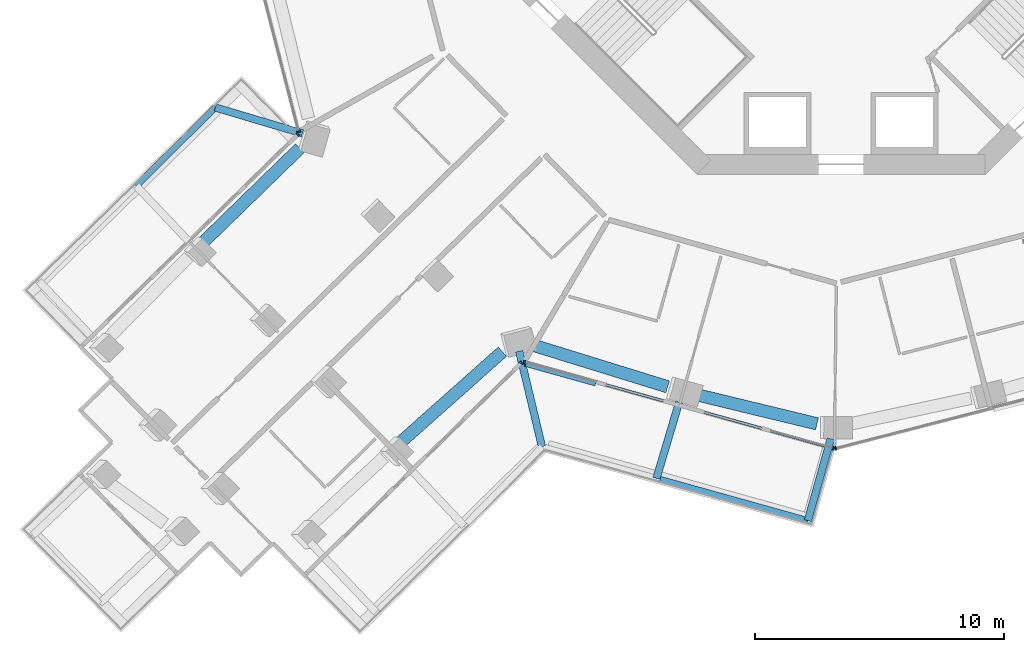
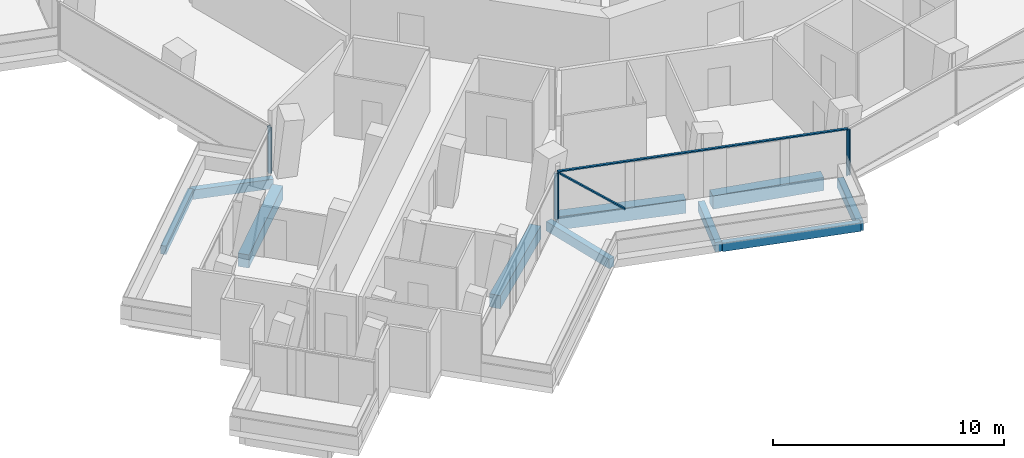
# One storey, part 3 of 26: 10 beams, 8 members, 5 elements without a shape of their own.
"""IFC4 building model written with IfcOpenShell, lengths in metres."""

from ifc_helpers import new_model, si_unit, direction, frame, origin, origin_2d, place, context, subcontext, project, spatial, rectangle, extrude, material, layer, layer_set, material_profile, profile_set, type_object, element, aggregate, save


model = new_model("IFC4")

# Units and contexts
model_context = context("Model", 3, precision=1e-05, world=origin(), true_north=direction((0.0, 1.0)))
body_context = subcontext(model_context, "Body", "Model", "MODEL_VIEW")
ifc_project = project(units=[si_unit("LENGTHUNIT", "METRE"), si_unit("AREAUNIT", "SQUARE_METRE"), si_unit("VOLUMEUNIT", "CUBIC_METRE"), si_unit("PLANEANGLEUNIT", "RADIAN"), si_unit("MASSUNIT", "GRAM", prefix="KILO")], contexts=[model_context])

# Site, building, storey
site_placement = place(None, origin())
site = spatial("IfcSite", under=ifc_project, at=site_placement, CompositionType="ELEMENT")
building_placement = place(site_placement, origin())
building = spatial("IfcBuilding", under=site, at=building_placement, Name="Verdalira Terraces Hotel", CompositionType="ELEMENT")
storey_placement = place(building_placement, frame((0.0, 0.0, 93.0)))
storey = spatial("IfcBuildingStorey", under=building, at=storey_placement, Name="L21", CompositionType="ELEMENT", Elevation=93.0)

# Beams
ifc_material_1 = material(Name="Concrete C40", Category="concrete")
ifc_material_profile_1 = material_profile(ifc_material_1, rectangle(XDim=0.300049, YDim=0.5, at=origin_2d()), Name="RC 300X500")
ifc_profile_set_1 = profile_set([ifc_material_profile_1], Name="Concrete C40")
beam_type_1 = type_object("IfcBeamType", Name="Balcony cantilever beam RC 300X500 C40", PredefinedType="BEAM", material=ifc_profile_set_1)
beam_1_placement = place(storey_placement, frame((-21.662109, -12.35498, -0.560059), z_axis=(-0.95852551, 0.285006749, 0.0), x_axis=(-0.285006749, -0.95852551, 0.0)))
element("IfcBeam", 1, at=beam_1_placement, inside=storey, type_object=beam_type_1, Name="Balcony cantilever beam R14-1", PredefinedType="BEAM", context=body_context, shape_type="SweptSolid", body=[
    extrude(rectangle(XDim=0.300049, YDim=0.5, at=origin_2d()), origin(), (0.0, 0.0, 1.0), 3.656006),
])
beam_2_placement = place(storey_placement, frame((-12.945557, -21.117676, -0.560059), z_axis=(0.232386385, -0.972623549, 0.0), x_axis=(0.972623549, 0.232386385, 0.0)))
element("IfcBeam", 2, at=beam_2_placement, inside=storey, type_object=beam_type_1, Name="Balcony cantilever beam R24-3", PredefinedType="BEAM", context=body_context, shape_type="SweptSolid", body=[
    extrude(rectangle(XDim=0.300049, YDim=0.5, at=origin_2d()), origin(), (0.0, 0.0, 1.0), 3.950195),
])
beam_3_placement = place(storey_placement, frame((-6.510742, -23.1604, -0.560059), z_axis=(-0.285030876, -0.958518336, 0.0), x_axis=(0.958518336, -0.285030876, 0.0)))
element("IfcBeam", 3, at=beam_3_placement, inside=storey, type_object=beam_type_1, Name="Balcony cantilever beam R24-4", PredefinedType="BEAM", context=body_context, shape_type="SweptSolid", body=[
    extrude(rectangle(XDim=0.300049, YDim=0.5, at=origin_2d()), origin(), (0.0, 0.0, 1.0), 3.200928),
])
beam_4_placement = place(storey_placement, frame((-0.414062, -24.637451, -0.560059), z_axis=(-0.268922284, -0.963161879, 0.0), x_axis=(0.963161879, -0.268922284, 0.0)))
element("IfcBeam", 4, at=beam_4_placement, inside=storey, type_object=beam_type_1, Name="Balcony cantilever beam R24-5", PredefinedType="BEAM", context=body_context, shape_type="SweptSolid", body=[
    extrude(rectangle(XDim=0.300049, YDim=0.5, at=origin_2d()), origin(), (0.0, 0.0, 1.0), 3.417236),
])
ifc_material_2 = material(Name="Concrete C40", Category="concrete")
ifc_material_profile_2 = material_profile(ifc_material_2, rectangle(XDim=0.25, YDim=0.449951, at=origin_2d()), Name="RC 250X450")
ifc_profile_set_2 = profile_set([ifc_material_profile_2], Name="Concrete C40")
beam_type_2 = type_object("IfcBeamType", Name="Balcony edge beam RC 250X450 C40", PredefinedType="BEAM", material=ifc_profile_set_2)
beam_5_placement = place(storey_placement, frame((-25.166504, -11.312988, -0.534912), z_axis=(-0.71053202, -0.70366487, 0.0), x_axis=(0.70366487, -0.71053202, 0.0)))
element("IfcBeam", 5, at=beam_5_placement, inside=storey, type_object=beam_type_2, Name="Balcony edge beam R14-1", PredefinedType="BEAM", context=body_context, shape_type="SweptSolid", body=[
    extrude(rectangle(XDim=0.25, YDim=0.449951, at=origin_2d()), origin(), (0.0, 0.0, 1.0), 4.479492),
])
beam_6_placement = place(storey_placement, frame((-7.278564, -26.268799, -0.534912), z_axis=(0.963167481, -0.268902218, 0.0), x_axis=(0.268902218, 0.963167481, 0.0)))
element("IfcBeam", 6, at=beam_6_placement, inside=storey, type_object=beam_type_2, Name="Balcony edge beam R24-4", PredefinedType="BEAM", context=body_context, shape_type="SweptSolid", body=[
    extrude(rectangle(XDim=0.25, YDim=0.449951, at=origin_2d()), origin(), (0.0, 0.0, 1.0), 6.172852),
])

# Curtain wall, member
ifc_material_3 = material(Name="Clear glass", Category="glass")
ifc_layer_1 = layer(ifc_material_3, 0.14990234375)
ifc_layer_set_1 = layer_set([ifc_layer_1], Name="CW1 curtain wall")
curtain_wall_type_1 = type_object("IfcCurtainWallType", Name="CW1 curtain wall", PredefinedType="NOTDEFINED", material=ifc_layer_set_1)
curtain_wall_1_placement = place(storey_placement, origin())
curtain_wall_1 = element("IfcCurtainWall", 7, at=curtain_wall_1_placement, inside=storey, type_object=curtain_wall_type_1, Name="CW1 curtain wall L21 edge 13", PredefinedType="NOTDEFINED")
ifc_material_4 = material(Name="Terracotta frame", Category="masonry")
ifc_material_profile_3 = material_profile(ifc_material_4, rectangle(XDim=0.060059, YDim=0.149902, at=origin_2d()), Name="MU 60x150")
ifc_profile_set_3 = profile_set([ifc_material_profile_3], Name="Terracotta frame")
member_type_1 = type_object("IfcMemberType", Name="CW1 mullion 60x150", PredefinedType="MULLION", material=ifc_profile_set_3)
member_1_placement = place(storey_placement, frame((-21.814453, -12.280762, 0.0), z_axis=(0.0, 0.0, 1.0), x_axis=(0.248689887, -0.968583161, 0.0)))
member_1 = element("IfcMember", 8, at=member_1_placement, type_object=member_type_1, Name="CW1 mullion", PredefinedType="MULLION", context=body_context, shape_type="SweptSolid", body=[
    extrude(rectangle(XDim=0.060059, YDim=0.149902, at=origin_2d()), origin(), (0.0, 0.0, 1.0), 2.425049),
])
aggregate(curtain_wall_1, [member_1])

# Curtain wall, members
curtain_wall_2_placement = place(storey_placement, origin())
curtain_wall_2 = element("IfcCurtainWall", 9, at=curtain_wall_2_placement, inside=storey, type_object=curtain_wall_type_1, Name="CW1 curtain wall L21 edge 25", PredefinedType="NOTDEFINED")
member_2_placement = place(storey_placement, frame((-12.735107, -21.55249, 0.0), z_axis=(0.0, 0.0, 1.0), x_axis=(0.963162567, -0.268919821, 0.0)))
member_2 = element("IfcMember", 10, at=member_2_placement, type_object=member_type_1, Name="CW1 mullion", PredefinedType="MULLION", context=body_context, shape_type="SweptSolid", body=[
    extrude(rectangle(XDim=0.060059, YDim=0.149902, at=origin_2d()), origin(), (0.0, 0.0, 1.0), 2.425049),
])
member_3_placement = place(storey_placement, frame((-0.310547, -25.021484, 0.0), z_axis=(0.0, 0.0, 1.0), x_axis=(0.963162567, -0.268919821, 0.0)))
member_3 = element("IfcMember", 11, at=member_3_placement, type_object=member_type_1, Name="CW1 mullion", PredefinedType="MULLION", context=body_context, shape_type="SweptSolid", body=[
    extrude(rectangle(XDim=0.060059, YDim=0.149902, at=origin_2d()), origin(), (0.0, 0.0, 1.0), 2.425049),
])

# Curtain wall, member
curtain_wall_3_placement = place(storey_placement, origin())
curtain_wall_3 = element("IfcCurtainWall", 12, at=curtain_wall_3_placement, inside=storey, type_object=curtain_wall_type_1, Name="CW1 curtain wall L21 edge 26", PredefinedType="NOTDEFINED")
member_4_placement = place(storey_placement, frame((-0.213623, -25.022705, 0.0), z_axis=(0.0, 0.0, 1.0), x_axis=(0.968583161, 0.248689887, 0.0)))
member_4 = element("IfcMember", 13, at=member_4_placement, type_object=member_type_1, Name="CW1 mullion", PredefinedType="MULLION", context=body_context, shape_type="SweptSolid", body=[
    extrude(rectangle(XDim=0.060059, YDim=0.149902, at=origin_2d()), origin(), (0.0, 0.0, 1.0), 2.425049),
])
aggregate(curtain_wall_3, [member_4])

# Member
ifc_material_5 = material(Name="Terracotta frame", Category="masonry")
ifc_material_profile_4 = material_profile(ifc_material_5, rectangle(XDim=0.110107, YDim=0.064941, at=origin_2d()), Name="TR 65x110")
ifc_profile_set_4 = profile_set([ifc_material_profile_4], Name="Terracotta frame")
member_type_2 = type_object("IfcMemberType", Name="CW1 transom 65x110", PredefinedType="USERDEFINED", material=ifc_profile_set_4)
member_5_placement = place(storey_placement, frame((-12.763916, -21.544434, 2.45752), z_axis=(0.963163514, -0.268916429, 0.0), x_axis=(0.268916429, 0.963163514, 0.0)))
member_5 = element("IfcMember", 14, at=member_5_placement, type_object=member_type_2, Name="CW1 transom", ObjectType="TRANSOM", PredefinedType="USERDEFINED", context=body_context, shape_type="SweptSolid", body=[
    extrude(rectangle(XDim=0.110107, YDim=0.064941, at=origin_2d()), origin(), (0.0, 0.0, 1.0), 12.959717),
])

# Curtain wall, member
ifc_material_6 = material(Name="Clear glass", Category="glass")
ifc_layer_2 = layer(ifc_material_6, 0.14990234375)
ifc_layer_set_2 = layer_set([ifc_layer_2], Name="CW2 curtain wall")
curtain_wall_type_2 = type_object("IfcCurtainWallType", Name="CW2 curtain wall", PredefinedType="NOTDEFINED", material=ifc_layer_set_2)
curtain_wall_4_placement = place(storey_placement, origin())
curtain_wall_4 = element("IfcCurtainWall", 15, at=curtain_wall_4_placement, inside=storey, type_object=curtain_wall_type_2, Name="CW2 curtain wall L21 edge 14", PredefinedType="NOTDEFINED")
ifc_material_7 = material(Name="Terracotta frame", Category="masonry")
ifc_material_profile_5 = material_profile(ifc_material_7, rectangle(XDim=0.070068, YDim=0.149902, at=origin_2d()), Name="MU 70x150")
ifc_profile_set_5 = profile_set([ifc_material_profile_5], Name="Terracotta frame")
member_type_3 = type_object("IfcMemberType", Name="CW2 mullion 70x150", PredefinedType="MULLION", material=ifc_profile_set_5)
member_6_placement = place(storey_placement, frame((-21.852295, -12.406738, 0.0), z_axis=(0.0, 0.0, 1.0), x_axis=(-0.71447268, -0.699663341, 0.0)))
member_6 = element("IfcMember", 16, at=member_6_placement, type_object=member_type_3, Name="CW2 mullion", PredefinedType="MULLION", context=body_context, shape_type="SweptSolid", body=[
    extrude(rectangle(XDim=0.070068, YDim=0.149902, at=origin_2d()), origin(), (0.0, 0.0, 1.0), 2.425049),
])
aggregate(curtain_wall_4, [member_6])

curtain_wall_5_placement = place(storey_placement, origin())
curtain_wall_5 = element("IfcCurtainWall", 17, at=curtain_wall_5_placement, inside=storey, type_object=curtain_wall_type_2, Name="CW2 curtain wall L21 edge 24", PredefinedType="NOTDEFINED")
member_7_placement = place(storey_placement, frame((-12.861572, -21.587646, 0.0), z_axis=(0.0, 0.0, 1.0), x_axis=(0.71447268, 0.699663341, 0.0)))
member_7 = element("IfcMember", 18, at=member_7_placement, type_object=member_type_3, Name="CW2 mullion", PredefinedType="MULLION", context=body_context, shape_type="SweptSolid", body=[
    extrude(rectangle(XDim=0.070068, YDim=0.149902, at=origin_2d()), origin(), (0.0, 0.0, 1.0), 2.425049),
])
aggregate(curtain_wall_5, [member_7])

# Member
ifc_material_8 = material(Name="Terracotta frame", Category="masonry")
ifc_material_profile_6 = material_profile(ifc_material_8, rectangle(XDim=0.149902, YDim=0.060059, at=origin_2d()), Name="GB 60x150")
ifc_profile_set_6 = profile_set([ifc_material_profile_6], Name="Terracotta frame")
member_type_4 = type_object("IfcMemberType", Name="Diagonal glazing bar 60x150", PredefinedType="USERDEFINED", material=ifc_profile_set_6)
member_8_placement = place(storey_placement, frame((-12.701172, -21.654297, 2.400391), z_axis=(0.745563814, -0.208167193, -0.633088477), x_axis=(0.268922261, 0.963161885, 0.0)))
member_8 = element("IfcMember", 19, at=member_8_placement, type_object=member_type_4, Name="Diagonal glazing bar", ObjectType="GLAZING BAR", PredefinedType="USERDEFINED", context=body_context, shape_type="SweptSolid", body=[
    extrude(rectangle(XDim=0.149902, YDim=0.060059, at=origin_2d()), origin(), (0.0, 0.0, 1.0), 3.75293),
])

aggregate(curtain_wall_2, [member_2, member_3, member_5, member_8])

# Beams
ifc_material_9 = material(Name="Concrete C70", Category="concrete")
ifc_material_profile_7 = material_profile(ifc_material_9, rectangle(XDim=0.5, YDim=0.699951, at=origin_2d()), Name="RC 500X700")
ifc_profile_set_7 = profile_set([ifc_material_profile_7], Name="Concrete C70")
beam_type_3 = type_object("IfcBeamType", Name="Spandrel beam RC 500X700 C70", PredefinedType="SPANDREL", material=ifc_profile_set_7)
beam_7_placement = place(storey_placement, frame((-21.768555, -12.950684, -0.659912), z_axis=(-0.716747786, -0.697332496, 0.0), x_axis=(0.697332496, -0.716747786, 0.0)))
element("IfcBeam", 20, at=beam_7_placement, inside=storey, type_object=beam_type_3, Name="Spandrel beam B10", PredefinedType="SPANDREL", context=body_context, shape_type="SweptSolid", body=[
    extrude(rectangle(XDim=0.5, YDim=0.699951, at=origin_2d()), origin(), (0.0, 0.0, 1.0), 5.432373),
])
beam_8_placement = place(storey_placement, frame((-17.778076, -24.831543, -0.659912), z_axis=(0.747271244, 0.664519141, 0.0), x_axis=(-0.664519141, 0.747271244, 0.0)))
element("IfcBeam", 21, at=beam_8_placement, inside=storey, type_object=beam_type_3, Name="Spandrel beam B14", PredefinedType="SPANDREL", context=body_context, shape_type="SweptSolid", body=[
    extrude(rectangle(XDim=0.5, YDim=0.699951, at=origin_2d()), origin(), (0.0, 0.0, 1.0), 5.561279),
])
beam_9_placement = place(storey_placement, frame((-12.392822, -20.871826, -0.659912), z_axis=(0.955390053, -0.295346993, 0.0), x_axis=(0.295346993, 0.955390053, 0.0)))
element("IfcBeam", 22, at=beam_9_placement, inside=storey, type_object=beam_type_3, Name="Spandrel beam B15", PredefinedType="SPANDREL", context=body_context, shape_type="SweptSolid", body=[
    extrude(rectangle(XDim=0.5, YDim=0.699951, at=origin_2d()), origin(), (0.0, 0.0, 1.0), 5.671387),
])
beam_10_placement = place(storey_placement, frame((-5.8396, -22.858398, -0.659912), z_axis=(0.972015127, -0.234918268, 0.0), x_axis=(0.234918268, 0.972015127, 0.0)))
element("IfcBeam", 23, at=beam_10_placement, inside=storey, type_object=beam_type_3, Name="Spandrel beam B16", PredefinedType="SPANDREL", context=body_context, shape_type="SweptSolid", body=[
    extrude(rectangle(XDim=0.5, YDim=0.699951, at=origin_2d()), origin(), (0.0, 0.0, 1.0), 5.012451),
])

save(model, "model.ifc")
